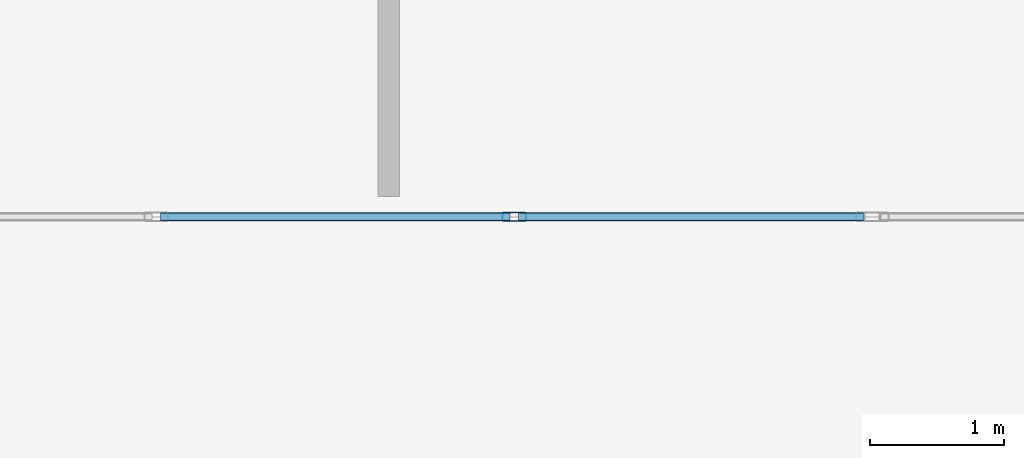
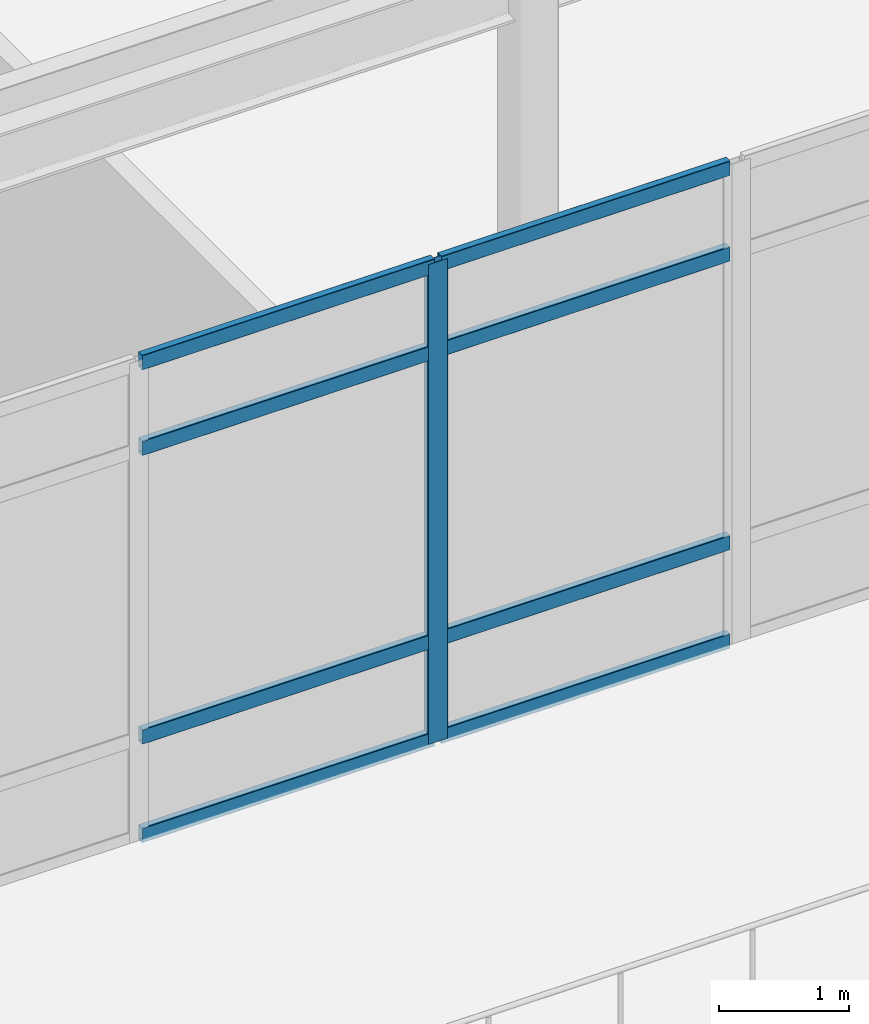
# One storey, part 48 of 117: 9 members, 1 element without a shape of its own.
"""IFC4 building model written with IfcOpenShell, lengths in metres."""

from ifc_helpers import new_model, si_unit, direction, frame, origin, origin_2d, place, context, subcontext, project, spatial, hollow_rectangle, extrude, material, material_profile, profile_set, type_object, element, aggregate, save


model = new_model("IFC4")

# Units and contexts
model_context = context("Model", 3, precision=1e-05, world=origin(), true_north=direction((0.0, 1.0)))
body_context = subcontext(model_context, "Body", "Model", "MODEL_VIEW")
ifc_project = project(units=[si_unit("LENGTHUNIT", "METRE"), si_unit("AREAUNIT", "SQUARE_METRE"), si_unit("VOLUMEUNIT", "CUBIC_METRE"), si_unit("PLANEANGLEUNIT", "RADIAN"), si_unit("MASSUNIT", "GRAM", prefix="KILO")], contexts=[model_context])

# Site, building, storey
site_placement = place(None, origin())
site = spatial("IfcSite", under=ifc_project, at=site_placement, CompositionType="ELEMENT")
building_placement = place(site_placement, origin())
building = spatial("IfcBuilding", under=site, at=building_placement, Name="Solmirada Galleria", CompositionType="ELEMENT")
storey_placement = place(building_placement, frame((0.0, 0.0, 5.60009765625)))
storey = spatial("IfcBuildingStorey", under=building, at=storey_placement, Name="L01", CompositionType="ELEMENT", Elevation=5.60009765625)

# Curtain wall, members
ifc_material_1 = material(Name="Impact-resistant low-E double glazing", Category="glass")
curtain_wall_type = type_object("IfcCurtainWallType", Name="CW-FZ4-L01-B3-L080", PredefinedType="NOTDEFINED", material=ifc_material_1)
curtain_wall_placement = place(storey_placement, origin())
curtain_wall = element("IfcCurtainWall", 1, at=curtain_wall_placement, inside=storey, type_object=curtain_wall_type, Name="Terrace and arcade storefront CW-L01-050", PredefinedType="NOTDEFINED")
ifc_material_2 = material(Name="Anodised aluminium framing", Category="aluminium")
ifc_material_profile_1 = material_profile(ifc_material_2, hollow_rectangle(XDim=0.06494140625, YDim=0.179931640625, WallThickness=0.00390625, InnerFilletRadius=0.00390625, OuterFilletRadius=0.008056640625, at=origin_2d()), Name="ALU-MULL-180X65")
ifc_profile_set_1 = profile_set([ifc_material_profile_1], Name="Anodised aluminium framing")
member_type_1 = type_object("IfcMemberType", Name="CW-MULL-180", PredefinedType="MULLION", material=ifc_profile_set_1)
member_1_placement = place(storey_placement, frame((69.333251953125, 76.800048828125, 0.0), z_axis=(0.0, 0.0, 1.0), x_axis=(0.0, -1.0, 0.0)))
member_1 = element("IfcMember", 2, at=member_1_placement, type_object=member_type_1, Name="CW13 mullion 2", PredefinedType="MULLION", context=body_context, shape_type="SweptSolid", body=[
    extrude(hollow_rectangle(XDim=0.06494140625, YDim=0.179931640625, WallThickness=0.00390625, InnerFilletRadius=0.00390625, OuterFilletRadius=0.008056640625, at=origin_2d()), origin(), (0.0, 0.0, 1.0), 4.52001953125),
])
ifc_material_profile_2 = material_profile(ifc_material_2, hollow_rectangle(XDim=0.06494140625, YDim=0.139892578125, WallThickness=0.00341796875, InnerFilletRadius=0.00341796875, OuterFilletRadius=0.007080078125, at=origin_2d()), Name="ALU-TRAN-140X65")
ifc_profile_set_2 = profile_set([ifc_material_profile_2], Name="Anodised aluminium framing")
member_type_2 = type_object("IfcMemberType", Name="CW-TRAN-140", PredefinedType="USERDEFINED", material=ifc_profile_set_2)
member_2_placement = place(storey_placement, frame((71.93505859375, 76.800048828125, 0.032470703125), z_axis=(-1.0, 0.0, 0.0), x_axis=(0.0, -1.0, 0.0)))
member_2 = element("IfcMember", 3, at=member_2_placement, type_object=member_type_2, Name="CW13 transom 1.1", ObjectType="TRANSOM", PredefinedType="USERDEFINED", context=body_context, shape_type="SweptSolid", body=[
    extrude(hollow_rectangle(XDim=0.06494140625, YDim=0.139892578125, WallThickness=0.00341796875, InnerFilletRadius=0.00341796875, OuterFilletRadius=0.007080078125, at=origin_2d()), origin(), (0.0, 0.0, 1.0), 2.5693359375),
])
member_3_placement = place(storey_placement, frame((71.93505859375, 76.800048828125, 0.9599609375), z_axis=(-1.0, 0.0, 0.0), x_axis=(0.0, -1.0, 0.0)))
member_3 = element("IfcMember", 4, at=member_3_placement, type_object=member_type_2, Name="CW13 transom 1.2", ObjectType="TRANSOM", PredefinedType="USERDEFINED", context=body_context, shape_type="SweptSolid", body=[
    extrude(hollow_rectangle(XDim=0.06494140625, YDim=0.139892578125, WallThickness=0.00341796875, InnerFilletRadius=0.00341796875, OuterFilletRadius=0.007080078125, at=origin_2d()), origin(), (0.0, 0.0, 1.0), 2.5693359375),
])
member_4_placement = place(storey_placement, frame((71.93505859375, 76.800048828125, 3.679931640625), z_axis=(-1.0, 0.0, 0.0), x_axis=(0.0, -1.0, 0.0)))
member_4 = element("IfcMember", 5, at=member_4_placement, type_object=member_type_2, Name="CW13 transom 1.3", ObjectType="TRANSOM", PredefinedType="USERDEFINED", context=body_context, shape_type="SweptSolid", body=[
    extrude(hollow_rectangle(XDim=0.06494140625, YDim=0.139892578125, WallThickness=0.00341796875, InnerFilletRadius=0.00341796875, OuterFilletRadius=0.007080078125, at=origin_2d()), origin(), (0.0, 0.0, 1.0), 2.5693359375),
])
member_5_placement = place(storey_placement, frame((71.93505859375, 76.800048828125, 4.4873046875), z_axis=(-1.0, 0.0, 0.0), x_axis=(0.0, -1.0, 0.0)))
member_5 = element("IfcMember", 6, at=member_5_placement, type_object=member_type_2, Name="CW13 transom 1.4", ObjectType="TRANSOM", PredefinedType="USERDEFINED", context=body_context, shape_type="SweptSolid", body=[
    extrude(hollow_rectangle(XDim=0.06494140625, YDim=0.139892578125, WallThickness=0.00341796875, InnerFilletRadius=0.00341796875, OuterFilletRadius=0.007080078125, at=origin_2d()), origin(), (0.0, 0.0, 1.0), 2.5693359375),
])
member_6_placement = place(storey_placement, frame((69.30078125, 76.800048828125, 0.032470703125), z_axis=(-1.0, 0.0, 0.0), x_axis=(0.0, -1.0, 0.0)))
member_6 = element("IfcMember", 7, at=member_6_placement, type_object=member_type_2, Name="CW13 transom 2.1", ObjectType="TRANSOM", PredefinedType="USERDEFINED", context=body_context, shape_type="SweptSolid", body=[
    extrude(hollow_rectangle(XDim=0.06494140625, YDim=0.139892578125, WallThickness=0.00341796875, InnerFilletRadius=0.00341796875, OuterFilletRadius=0.007080078125, at=origin_2d()), origin(), (0.0, 0.0, 1.0), 2.6015625),
])
member_7_placement = place(storey_placement, frame((69.30078125, 76.800048828125, 0.9599609375), z_axis=(-1.0, 0.0, 0.0), x_axis=(0.0, -1.0, 0.0)))
member_7 = element("IfcMember", 8, at=member_7_placement, type_object=member_type_2, Name="CW13 transom 2.2", ObjectType="TRANSOM", PredefinedType="USERDEFINED", context=body_context, shape_type="SweptSolid", body=[
    extrude(hollow_rectangle(XDim=0.06494140625, YDim=0.139892578125, WallThickness=0.00341796875, InnerFilletRadius=0.00341796875, OuterFilletRadius=0.007080078125, at=origin_2d()), origin(), (0.0, 0.0, 1.0), 2.6015625),
])
member_8_placement = place(storey_placement, frame((69.30078125, 76.800048828125, 3.679931640625), z_axis=(-1.0, 0.0, 0.0), x_axis=(0.0, -1.0, 0.0)))
member_8 = element("IfcMember", 9, at=member_8_placement, type_object=member_type_2, Name="CW13 transom 2.3", ObjectType="TRANSOM", PredefinedType="USERDEFINED", context=body_context, shape_type="SweptSolid", body=[
    extrude(hollow_rectangle(XDim=0.06494140625, YDim=0.139892578125, WallThickness=0.00341796875, InnerFilletRadius=0.00341796875, OuterFilletRadius=0.007080078125, at=origin_2d()), origin(), (0.0, 0.0, 1.0), 2.6015625),
])
member_9_placement = place(storey_placement, frame((69.30078125, 76.800048828125, 4.4873046875), z_axis=(-1.0, 0.0, 0.0), x_axis=(0.0, -1.0, 0.0)))
member_9 = element("IfcMember", 10, at=member_9_placement, type_object=member_type_2, Name="CW13 transom 2.4", ObjectType="TRANSOM", PredefinedType="USERDEFINED", context=body_context, shape_type="SweptSolid", body=[
    extrude(hollow_rectangle(XDim=0.06494140625, YDim=0.139892578125, WallThickness=0.00341796875, InnerFilletRadius=0.00341796875, OuterFilletRadius=0.007080078125, at=origin_2d()), origin(), (0.0, 0.0, 1.0), 2.6015625),
])
aggregate(curtain_wall, [member_1, member_2, member_3, member_4, member_5, member_6, member_7, member_8, member_9])

save(model, "model.ifc")
